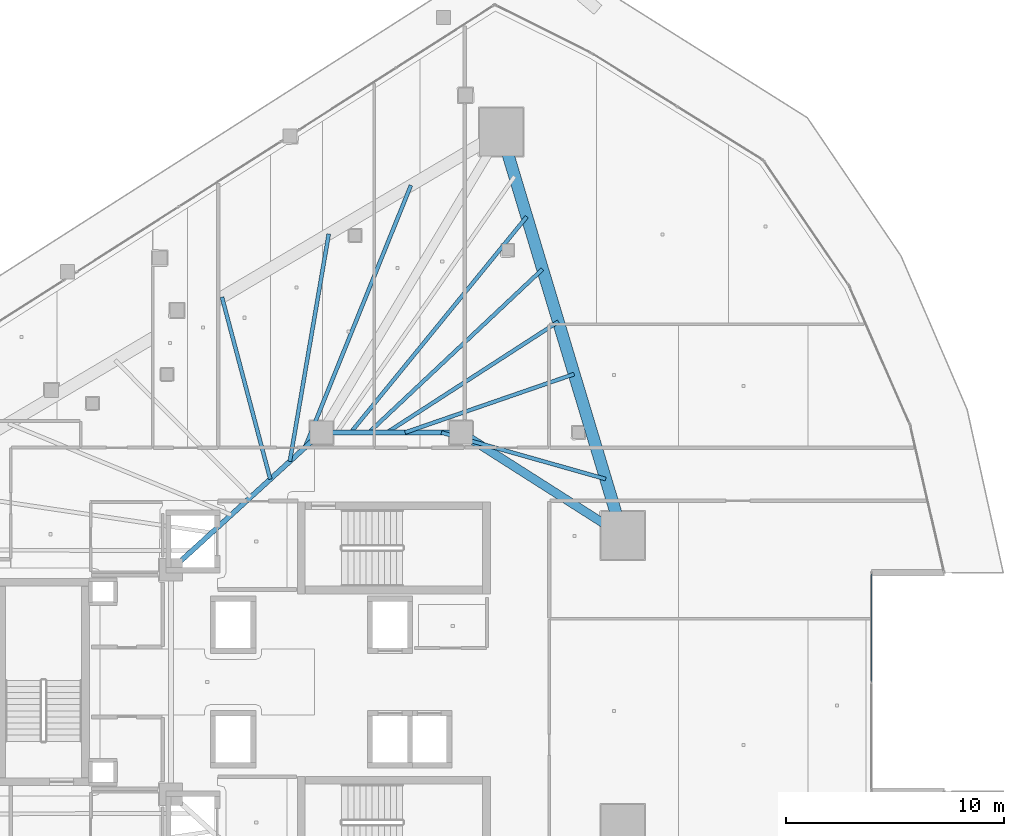
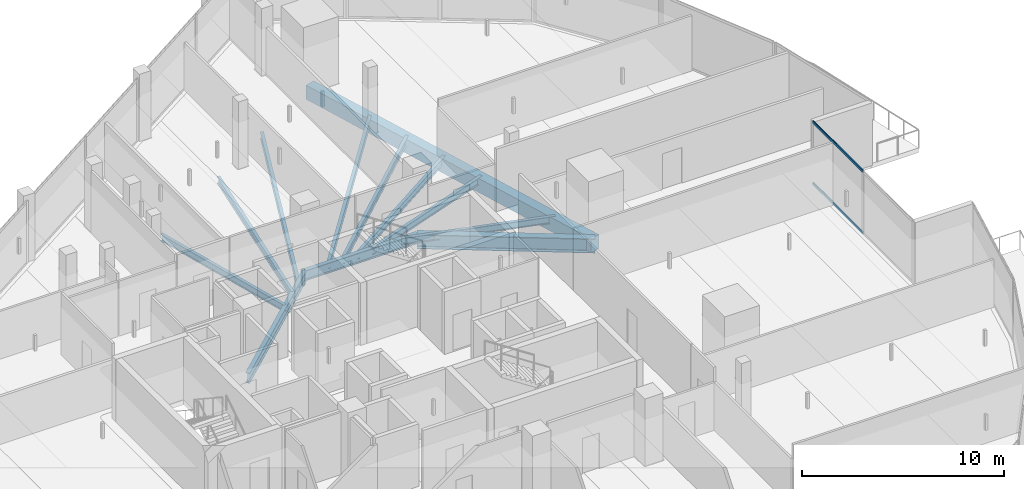
# One storey, part 19 of 44: 12 beams, 2 members, 1 element without a shape of its own.
"""IFC4 building model written with IfcOpenShell, lengths in metres."""

from ifc_helpers import new_model, si_unit, direction, frame, origin, origin_2d, place, context, subcontext, project, spatial, rectangle, hollow_rectangle, i_section, extrude, material, layer, layer_set, material_profile, profile_set, type_object, element, aggregate, save


model = new_model("IFC4")

# Units and contexts
model_context = context("Model", 3, precision=1e-05, world=origin(), true_north=direction((0.0, 1.0)))
body_context = subcontext(model_context, "Body", "Model", "MODEL_VIEW")
ifc_project = project(units=[si_unit("LENGTHUNIT", "METRE"), si_unit("AREAUNIT", "SQUARE_METRE"), si_unit("VOLUMEUNIT", "CUBIC_METRE"), si_unit("PLANEANGLEUNIT", "RADIAN"), si_unit("MASSUNIT", "GRAM", prefix="KILO")], contexts=[model_context])

# Site, building, storey
site_placement = place(None, origin())
site = spatial("IfcSite", under=ifc_project, at=site_placement, CompositionType="ELEMENT")
building_placement = place(site_placement, origin())
building = spatial("IfcBuilding", under=site, at=building_placement, Name="Qorvath Tower", CompositionType="ELEMENT")
storey_placement = place(building_placement, frame((0.0, 0.0, 113.85009765625)))
storey = spatial("IfcBuildingStorey", under=building, at=storey_placement, Name="L25", CompositionType="ELEMENT", Elevation=113.85009765625)

# Beams
ifc_material_1 = material(Name="Steel ASTM A992 Grade 50", Category="steel")
ifc_material_profile_1 = material_profile(ifc_material_1, i_section(OverallWidth=0.39892578125, OverallDepth=0.85498046875, WebThickness=0.018310546875, FlangeThickness=0.029296875, FilletRadius=0.02001953125, at=origin_2d()), Name="W33x201")
ifc_profile_set_1 = profile_set([ifc_material_profile_1], Name="Steel ASTM A992 Grade 50")
beam_type_1 = type_object("IfcBeamType", Name="BM-FG2", PredefinedType="BEAM", material=ifc_profile_set_1)
beam_1_placement = place(storey_placement, frame((-17.199951171875, 11.449951171875, -0.70751953125), z_axis=(0.843634090834, -0.536918542037, 0.0), x_axis=(0.536918542037, 0.843634090834, 0.0)))
element("IfcBeam", 1, at=beam_1_placement, inside=storey, type_object=beam_type_1, Name="Radial Floor Girder CC2-MC5 L25", PredefinedType="BEAM", context=body_context, shape_type="SweptSolid", body=[
    extrude(i_section(OverallWidth=0.39892578125, OverallDepth=0.85498046875, WebThickness=0.018310546875, FlangeThickness=0.029296875, FilletRadius=0.02001953125, at=origin_2d()), origin(), (0.0, 0.0, 1.0), 8.806884765625),
])
ifc_material_2 = material(Name="Steel ASTM A992 Grade 50", Category="steel")
ifc_material_profile_2 = material_profile(ifc_material_2, i_section(OverallWidth=0.22998046875, OverallDepth=0.616943359375, WebThickness=0.01318359375, FlangeThickness=0.022216796875, FilletRadius=0.014892578125, at=origin_2d()), Name="W24x94")
ifc_profile_set_2 = profile_set([ifc_material_profile_2], Name="Steel ASTM A992 Grade 50")
beam_type_2 = type_object("IfcBeamType", Name="BM-FG6", PredefinedType="BEAM", material=ifc_profile_set_2)
beam_2_placement = place(storey_placement, frame((-23.60009765625, 11.449951171875, -0.58837890625), z_axis=(1.0, 0.0, 0.0), x_axis=(0.0, 1.0, 0.0)))
element("IfcBeam", 2, at=beam_2_placement, inside=storey, type_object=beam_type_2, Name="Core Ring Girder CC1-CC2 L25", PredefinedType="BEAM", context=body_context, shape_type="SweptSolid", body=[
    extrude(i_section(OverallWidth=0.22998046875, OverallDepth=0.616943359375, WebThickness=0.01318359375, FlangeThickness=0.022216796875, FilletRadius=0.014892578125, at=origin_2d()), origin(), (0.0, 0.0, 1.0), 6.400146484375),
])
beam_3_placement = place(storey_placement, frame((-30.5, 5.14990234375, -0.58837890625), z_axis=(0.73847813985, 0.6742774184, 0.0), x_axis=(-0.6742774184, 0.73847813985, 0.0)))
element("IfcBeam", 3, at=beam_3_placement, inside=storey, type_object=beam_type_2, Name="Core Ring Girder CC5-CC1 L25", PredefinedType="BEAM", context=body_context, shape_type="SweptSolid", body=[
    extrude(i_section(OverallWidth=0.22998046875, OverallDepth=0.616943359375, WebThickness=0.01318359375, FlangeThickness=0.022216796875, FilletRadius=0.014892578125, at=origin_2d()), origin(), (0.0, 0.0, 1.0), 9.343505859375),
])
ifc_material_3 = material(Name="Steel ASTM A992 Grade 50", Category="steel")
ifc_material_profile_3 = material_profile(ifc_material_3, i_section(OverallWidth=0.177978515625, OverallDepth=0.406005859375, WebThickness=0.0078125, FlangeThickness=0.0126953125, FilletRadius=0.010986328125, at=origin_2d()), Name="W16x40")
ifc_profile_set_3 = profile_set([ifc_material_profile_3], Name="Steel ASTM A992 Grade 50")
beam_type_3 = type_object("IfcBeamType", Name="BM-FJ3", PredefinedType="JOIST", material=ifc_profile_set_3)
beam_4_placement = place(storey_placement, frame((-18.095947265625, 11.449951171875, -0.48291015625), z_axis=(0.962222206221, -0.272265359264, 0.0), x_axis=(0.272265359264, 0.962222206221, 0.0)))
element("IfcBeam", 4, at=beam_4_placement, inside=storey, type_object=beam_type_3, Name="Composite Floor Joist NE1 L25", PredefinedType="JOIST", context=body_context, shape_type="SweptSolid", body=[
    extrude(i_section(OverallWidth=0.177978515625, OverallDepth=0.406005859375, WebThickness=0.0078125, FlangeThickness=0.0126953125, FilletRadius=0.010986328125, at=origin_2d()), origin(), (0.0, 0.0, 1.0), 7.841552734375),
])
beam_5_placement = place(storey_placement, frame((-19.760009765625, 11.449951171875, -0.48291015625), z_axis=(0.945168345309, 0.326583525342, 0.0), x_axis=(-0.326583525342, 0.945168345309, 0.0)))
element("IfcBeam", 5, at=beam_5_placement, inside=storey, type_object=beam_type_3, Name="Composite Floor Joist NE3 L25", PredefinedType="JOIST", context=body_context, shape_type="SweptSolid", body=[
    extrude(i_section(OverallWidth=0.177978515625, OverallDepth=0.406005859375, WebThickness=0.0078125, FlangeThickness=0.0126953125, FilletRadius=0.010986328125, at=origin_2d()), origin(), (0.0, 0.0, 1.0), 8.21044921875),
])
beam_6_placement = place(storey_placement, frame((-20.592041015625, 11.449951171875, -0.48291015625), z_axis=(0.839630966809, 0.543157288062, 0.0), x_axis=(-0.543157288062, 0.839630966809, 0.0)))
element("IfcBeam", 6, at=beam_6_placement, inside=storey, type_object=beam_type_3, Name="Composite Floor Joist NE4 L25", PredefinedType="JOIST", context=body_context, shape_type="SweptSolid", body=[
    extrude(i_section(OverallWidth=0.177978515625, OverallDepth=0.406005859375, WebThickness=0.0078125, FlangeThickness=0.0126953125, FilletRadius=0.010986328125, at=origin_2d()), origin(), (0.0, 0.0, 1.0), 9.370361328125),
])
beam_7_placement = place(storey_placement, frame((-21.424072265625, 11.449951171875, -0.48291015625), z_axis=(0.728572459091, 0.684968737866, 0.0), x_axis=(-0.684968737866, 0.728572459091, 0.0)))
element("IfcBeam", 7, at=beam_7_placement, inside=storey, type_object=beam_type_3, Name="Composite Floor Joist NE5 L25", PredefinedType="JOIST", context=body_context, shape_type="SweptSolid", body=[
    extrude(i_section(OverallWidth=0.177978515625, OverallDepth=0.406005859375, WebThickness=0.0078125, FlangeThickness=0.0126953125, FilletRadius=0.010986328125, at=origin_2d()), origin(), (0.0, 0.0, 1.0), 10.9462890625),
])
beam_8_placement = place(storey_placement, frame((-22.256103515625, 11.449951171875, -0.48291015625), z_axis=(0.632187975212, 0.774815051478, 0.0), x_axis=(-0.774815051478, 0.632187975212, 0.0)))
element("IfcBeam", 8, at=beam_8_placement, inside=storey, type_object=beam_type_3, Name="Composite Floor Joist NE6 L25", PredefinedType="JOIST", context=body_context, shape_type="SweptSolid", body=[
    extrude(i_section(OverallWidth=0.177978515625, OverallDepth=0.406005859375, WebThickness=0.0078125, FlangeThickness=0.0126953125, FilletRadius=0.010986328125, at=origin_2d()), origin(), (0.0, 0.0, 1.0), 12.784912109375),
])
beam_9_placement = place(storey_placement, frame((-25.946044921875, 9.30810546875, -0.48291015625), z_axis=(-0.256507909517, 0.966542131702, 0.0), x_axis=(-0.966542131702, -0.256507909517, 0.0)))
element("IfcBeam", 9, at=beam_9_placement, inside=storey, type_object=beam_type_3, Name="Composite Floor Joist NW5 L25", PredefinedType="JOIST", context=body_context, shape_type="SweptSolid", body=[
    extrude(i_section(OverallWidth=0.177978515625, OverallDepth=0.406005859375, WebThickness=0.0078125, FlangeThickness=0.0126953125, FilletRadius=0.010986328125, at=origin_2d()), origin(), (0.0, 0.0, 1.0), 8.64697265625),
])
beam_10_placement = place(storey_placement, frame((-25.049072265625, 10.126953125, -0.48291015625), z_axis=(0.168745594245, 0.985659639238, 0.0), x_axis=(-0.985659639238, 0.168745594245, 0.0)))
element("IfcBeam", 10, at=beam_10_placement, inside=storey, type_object=beam_type_3, Name="Composite Floor Joist NW6 L25", PredefinedType="JOIST", context=body_context, shape_type="SweptSolid", body=[
    extrude(i_section(OverallWidth=0.177978515625, OverallDepth=0.406005859375, WebThickness=0.0078125, FlangeThickness=0.0126953125, FilletRadius=0.010986328125, at=origin_2d()), origin(), (0.0, 0.0, 1.0), 10.589111328125),
])
beam_11_placement = place(storey_placement, frame((-24.35888671875, 10.757080078125, -0.48291015625), z_axis=(0.37487652097, 0.927074751045, 0.0), x_axis=(-0.927074751045, 0.37487652097, 0.0)))
element("IfcBeam", 11, at=beam_11_placement, inside=storey, type_object=beam_type_3, Name="Composite Floor Joist NW7 L25", PredefinedType="JOIST", context=body_context, shape_type="SweptSolid", body=[
    extrude(i_section(OverallWidth=0.177978515625, OverallDepth=0.406005859375, WebThickness=0.0078125, FlangeThickness=0.0126953125, FilletRadius=0.010986328125, at=origin_2d()), origin(), (0.0, 0.0, 1.0), 12.9833984375),
])
ifc_material_4 = material(Name="Concrete C50/60", Category="concrete")
ifc_material_profile_4 = material_profile(ifc_material_4, rectangle(XDim=0.550048828125, YDim=0.85009765625, at=origin_2d()), Name="RCB 850x550")
ifc_profile_set_4 = profile_set([ifc_material_profile_4], Name="Concrete C50/60")
beam_type_4 = type_object("IfcBeamType", Name="BM-RCB2", PredefinedType="SPANDREL", material=ifc_profile_set_4)
beam_12_placement = place(storey_placement, frame((-9.770263671875, 6.721435546875, -0.705078125), z_axis=(-0.288133952099, 0.957590113591, 0.0), x_axis=(-0.957590113591, -0.288133952099, 0.0)))
element("IfcBeam", 12, at=beam_12_placement, inside=storey, type_object=beam_type_4, Name="Perimeter Loggia Frame Beam MC5-MC6 L25", PredefinedType="SPANDREL", context=body_context, shape_type="SweptSolid", body=[
    extrude(rectangle(XDim=0.550048828125, YDim=0.85009765625, at=origin_2d()), origin(), (0.0, 0.0, 1.0), 19.344970703125),
])

# Curtain wall, members
ifc_material_5 = material(Name="Anodised aluminium and triple low-E glass", Category="aluminium")
ifc_layer = layer(ifc_material_5, 0.179931640625)
ifc_layer_set = layer_set([ifc_layer], Name="CW-SYS-2")
curtain_wall_type = type_object("IfcCurtainWallType", Name="CW-SYS-2", PredefinedType="NOTDEFINED", material=ifc_layer_set)
curtain_wall_placement = place(storey_placement, origin())
curtain_wall = element("IfcCurtainWall", 13, at=curtain_wall_placement, inside=storey, type_object=curtain_wall_type, Name="Curtain Wall CW-2 CW-T-L25-9.1", PredefinedType="NOTDEFINED")
ifc_material_6 = material(Name="Anodised aluminium 6063-T6", Category="aluminium")
ifc_material_profile_5 = material_profile(ifc_material_6, hollow_rectangle(XDim=0.06494140625, YDim=0.159912109375, WallThickness=0.00341796875, InnerFilletRadius=0.00341796875, OuterFilletRadius=0.007080078125, at=origin_2d()), Name="CWT 160x65")
ifc_profile_set_5 = profile_set([ifc_material_profile_5], Name="Anodised aluminium 6063-T6")
member_type = type_object("IfcMemberType", Name="CWT-160", PredefinedType="USERDEFINED", material=ifc_profile_set_5)
member_1_placement = place(storey_placement, frame((1.648681640625, 0.032470703125, 0.032470703125), z_axis=(0.0, 1.0, 0.0), x_axis=(-1.0, 0.0, 0.0)))
member_1 = element("IfcMember", 14, at=member_1_placement, type_object=member_type, Name="CW-2 transom 2.1", ObjectType="TRANSOM", PredefinedType="USERDEFINED", context=body_context, shape_type="SweptSolid", body=[
    extrude(hollow_rectangle(XDim=0.06494140625, YDim=0.159912109375, WallThickness=0.00341796875, InnerFilletRadius=0.00341796875, OuterFilletRadius=0.007080078125, at=origin_2d()), origin(), (0.0, 0.0, 1.0), 4.913818359375),
])
member_2_placement = place(storey_placement, frame((1.648681640625, 0.032470703125, 3.737548828125), z_axis=(0.0, 1.0, 0.0), x_axis=(-1.0, 0.0, 0.0)))
member_2 = element("IfcMember", 15, at=member_2_placement, type_object=member_type, Name="CW-2 transom 2.2", ObjectType="TRANSOM", PredefinedType="USERDEFINED", context=body_context, shape_type="SweptSolid", body=[
    extrude(hollow_rectangle(XDim=0.06494140625, YDim=0.159912109375, WallThickness=0.00341796875, InnerFilletRadius=0.00341796875, OuterFilletRadius=0.007080078125, at=origin_2d()), origin(), (0.0, 0.0, 1.0), 4.913818359375),
])
aggregate(curtain_wall, [member_1, member_2])

save(model, "model.ifc")
